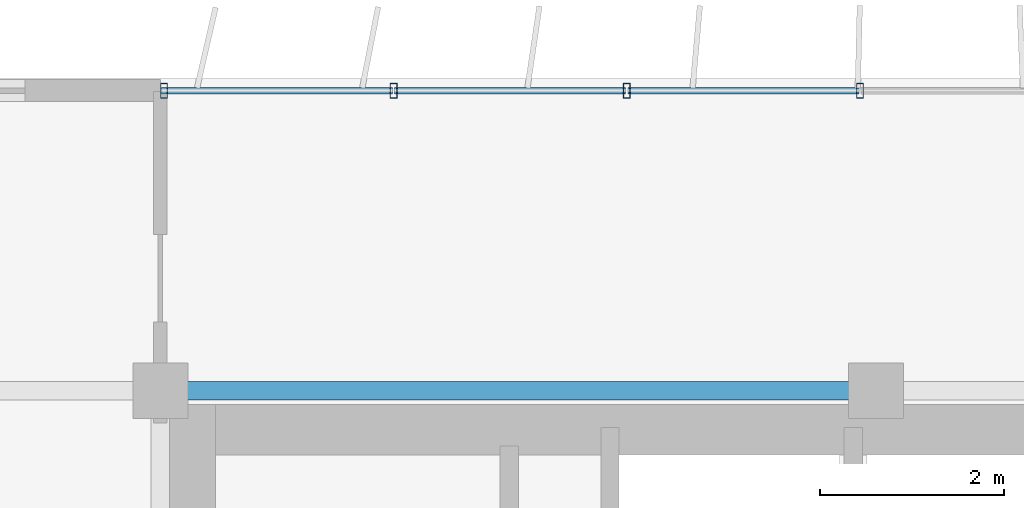
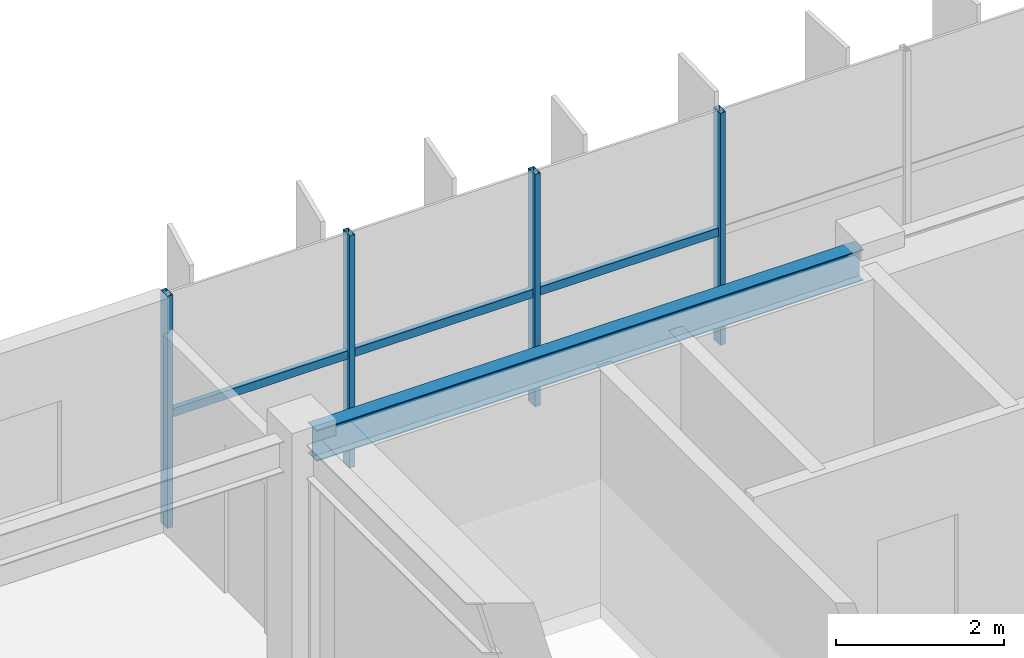
# One storey, part 6 of 22: 7 members, 1 beam, 1 element without a shape of its own.
"""IFC4 building model written with IfcOpenShell, lengths in metres."""

from ifc_helpers import new_model, si_unit, direction, frame, origin, origin_2d, place, context, subcontext, project, spatial, hollow_rectangle, i_section, extrude, source, transform, mapped, material, material_profile, profile_set, type_object, element, aggregate, save


model = new_model("IFC4")

# Units and contexts
model_context = context("Model", 3, precision=1e-05, world=origin(), true_north=direction((0.0, 1.0)))
body_context = subcontext(model_context, "Body", "Model", "MODEL_VIEW")
ifc_project = project(units=[si_unit("LENGTHUNIT", "METRE"), si_unit("AREAUNIT", "SQUARE_METRE"), si_unit("VOLUMEUNIT", "CUBIC_METRE"), si_unit("PLANEANGLEUNIT", "RADIAN"), si_unit("MASSUNIT", "GRAM", prefix="KILO")], contexts=[model_context])

# Site, building, storey
site_placement = place(None, origin())
site = spatial("IfcSite", under=ifc_project, at=site_placement, CompositionType="ELEMENT")
building_placement = place(site_placement, origin())
building = spatial("IfcBuilding", under=site, at=building_placement, Name="Trelvane Seafront Commons", CompositionType="ELEMENT")
storey_placement = place(building_placement, frame((0.0, 0.0, 273.89990234375)))
storey = spatial("IfcBuildingStorey", under=building, at=storey_placement, Name="L71", CompositionType="ELEMENT", Elevation=273.89990234375)

# Beam
ifc_material_1 = material(Name="Steel SM355 (S355)", Category="steel")
ifc_material_profile_1 = material_profile(ifc_material_1, i_section(OverallWidth=0.199951171875, OverallDepth=0.449951171875, WebThickness=0.009033203125, FlangeThickness=0.013916015625, at=origin_2d()), Name="H-450x200x9x14")
ifc_profile_set_1 = profile_set([ifc_material_profile_1], Name="Steel SM355 (S355)")
beam_type = type_object("IfcBeamType", Name="STR-SPD-H450", PredefinedType="SPANDREL", material=ifc_profile_set_1)
shared_shape_1 = source(origin(), body_context, "Body", "SweptSolid", [
    extrude(i_section(OverallWidth=0.199951171875, OverallDepth=0.449951171875, WebThickness=0.009033203125, FlangeThickness=0.013916015625, at=origin_2d()), origin(), (0.0, 0.0, 1.0), 7.5),
])
beam_placement = place(storey_placement, frame((15.75, 45.10009765625, 3.14501953125), z_axis=(1.0, 0.0, 0.0), x_axis=(0.0, 1.0, 0.0)))
element("IfcBeam", 1, at=beam_placement, inside=storey, type_object=beam_type, Name="L71 Primary Girder G-23", PredefinedType="SPANDREL", context=body_context, shape_type="MappedRepresentation", body=[
    mapped(shared_shape_1, transform((0.0, 0.0, 0.0), x_axis=(1.0, 0.0, 0.0), y_axis=(0.0, 1.0, 0.0), z_axis=(0.0, 0.0, 1.0), scale=1.0)),
])

# Curtain wall, members
ifc_material_2 = material(Name="Anodised pale-silver aluminium", Category="aluminium")
curtain_wall_type = type_object("IfcCurtainWallType", Name="ARCH-CW5-UPTOWER", PredefinedType="NOTDEFINED", material=ifc_material_2)
curtain_wall_placement = place(storey_placement, origin())
curtain_wall = element("IfcCurtainWall", 2, at=curtain_wall_placement, inside=storey, type_object=curtain_wall_type, Name="CW-L71-0115", PredefinedType="NOTDEFINED")
ifc_material_profile_2 = material_profile(ifc_material_2, hollow_rectangle(XDim=0.070068359375, YDim=0.1201171875, WallThickness=0.00390625, at=origin_2d()), Name="TRAN-70x120x4")
ifc_profile_set_2 = profile_set([ifc_material_profile_2], Name="Anodised pale-silver aluminium")
member_type_1 = type_object("IfcMemberType", Name="ARCH-CW-TRAN-120", PredefinedType="USERDEFINED", material=ifc_profile_set_2)
shared_shape_2 = source(origin(), body_context, "Body", "SweptSolid", [
    extrude(hollow_rectangle(XDim=0.070068359375, YDim=0.1201171875, WallThickness=0.00390625, at=origin_2d()), origin(), (0.0, 0.0, 1.0), 2.51708984375),
])
member_1_placement = place(storey_placement, frame((15.612060546875, 48.3701171875, 1.6181640625), z_axis=(1.0, 0.0, 0.0), x_axis=(0.0, 1.0, 0.0)))
member_1 = element("IfcMember", 3, at=member_1_placement, type_object=member_type_1, Name="CW-L71-0115-T00", ObjectType="TRANSOM", PredefinedType="USERDEFINED", context=body_context, shape_type="MappedRepresentation", body=[
    mapped(shared_shape_2, transform((0.0, 0.0, 0.0), x_axis=(1.0, 0.0, 0.0), y_axis=(0.0, 1.0, 0.0), z_axis=(0.0, 0.0, 1.0), scale=1.0)),
])
member_2_placement = place(storey_placement, frame((18.1533203125, 48.3701171875, 1.6181640625), z_axis=(1.0, 0.0, 0.0), x_axis=(0.0, 1.0, 0.0)))
member_2 = element("IfcMember", 4, at=member_2_placement, type_object=member_type_1, Name="CW-L71-0115-T01", ObjectType="TRANSOM", PredefinedType="USERDEFINED", context=body_context, shape_type="MappedRepresentation", body=[
    mapped(shared_shape_2, transform((0.0, 0.0, 0.0), x_axis=(1.0, 0.0, 0.0), y_axis=(0.0, 1.0, 0.0), z_axis=(0.0, 0.0, 1.0), scale=1.0)),
])
member_3_placement = place(storey_placement, frame((20.6943359375, 48.3701171875, 1.6181640625), z_axis=(1.0, 0.0, 0.0), x_axis=(0.0, 1.0, 0.0)))
member_3 = element("IfcMember", 5, at=member_3_placement, type_object=member_type_1, Name="CW-L71-0115-T02", ObjectType="TRANSOM", PredefinedType="USERDEFINED", context=body_context, shape_type="MappedRepresentation", body=[
    mapped(shared_shape_2, transform((0.0, 0.0, 0.0), x_axis=(1.0, 0.0, 0.0), y_axis=(0.0, 1.0, 0.0), z_axis=(0.0, 0.0, 1.0), scale=1.0)),
])
ifc_material_profile_3 = material_profile(ifc_material_2, hollow_rectangle(XDim=0.074951171875, YDim=0.159912109375, WallThickness=0.00390625, at=origin_2d()), Name="MULL-75x160x4")
ifc_profile_set_3 = profile_set([ifc_material_profile_3], Name="Anodised pale-silver aluminium")
member_type_2 = type_object("IfcMemberType", Name="ARCH-CW-MULL-160", PredefinedType="MULLION", material=ifc_profile_set_3)
shared_shape_3 = source(origin(), body_context, "Body", "SweptSolid", [
    extrude(hollow_rectangle(XDim=0.074951171875, YDim=0.159912109375, WallThickness=0.00390625, at=origin_2d()), origin(), (0.0, 0.0, 1.0), 3.3701171875),
])
member_4_placement = place(storey_placement, frame((15.639892578125, 48.3701171875, 0.0), z_axis=(0.0, 0.0, 1.0), x_axis=(1.0, 0.0, 0.0)))
member_4 = element("IfcMember", 6, at=member_4_placement, type_object=member_type_2, Name="CW-L71-0115-M00", PredefinedType="MULLION", context=body_context, shape_type="MappedRepresentation", body=[
    mapped(shared_shape_3, transform((0.0, 0.0, 0.0), x_axis=(1.0, 0.0, 0.0), y_axis=(0.0, 1.0, 0.0), z_axis=(0.0, 0.0, 1.0), scale=1.0)),
])
member_5_placement = place(storey_placement, frame((18.14111328125, 48.3701171875, 0.0), z_axis=(0.0, 0.0, 1.0), x_axis=(1.0, 0.0, 0.0)))
member_5 = element("IfcMember", 7, at=member_5_placement, type_object=member_type_2, Name="CW-L71-0115-M01", PredefinedType="MULLION", context=body_context, shape_type="MappedRepresentation", body=[
    mapped(shared_shape_3, transform((0.0, 0.0, 0.0), x_axis=(1.0, 0.0, 0.0), y_axis=(0.0, 1.0, 0.0), z_axis=(0.0, 0.0, 1.0), scale=1.0)),
])
member_6_placement = place(storey_placement, frame((20.682373046875, 48.3701171875, 0.0), z_axis=(0.0, 0.0, 1.0), x_axis=(1.0, 0.0, 0.0)))
member_6 = element("IfcMember", 8, at=member_6_placement, type_object=member_type_2, Name="CW-L71-0115-M02", PredefinedType="MULLION", context=body_context, shape_type="MappedRepresentation", body=[
    mapped(shared_shape_3, transform((0.0, 0.0, 0.0), x_axis=(1.0, 0.0, 0.0), y_axis=(0.0, 1.0, 0.0), z_axis=(0.0, 0.0, 1.0), scale=1.0)),
])
member_7_placement = place(storey_placement, frame((23.223388671875, 48.3701171875, 0.0), z_axis=(0.0, 0.0, 1.0), x_axis=(1.0, 0.0, 0.0)))
member_7 = element("IfcMember", 9, at=member_7_placement, type_object=member_type_2, Name="CW-L71-0115-M03", PredefinedType="MULLION", context=body_context, shape_type="MappedRepresentation", body=[
    mapped(shared_shape_3, transform((0.0, 0.0, 0.0), x_axis=(1.0, 0.0, 0.0), y_axis=(0.0, 1.0, 0.0), z_axis=(0.0, 0.0, 1.0), scale=1.0)),
])
aggregate(curtain_wall, [member_4, member_5, member_6, member_7, member_1, member_2, member_3])

save(model, "model.ifc")
